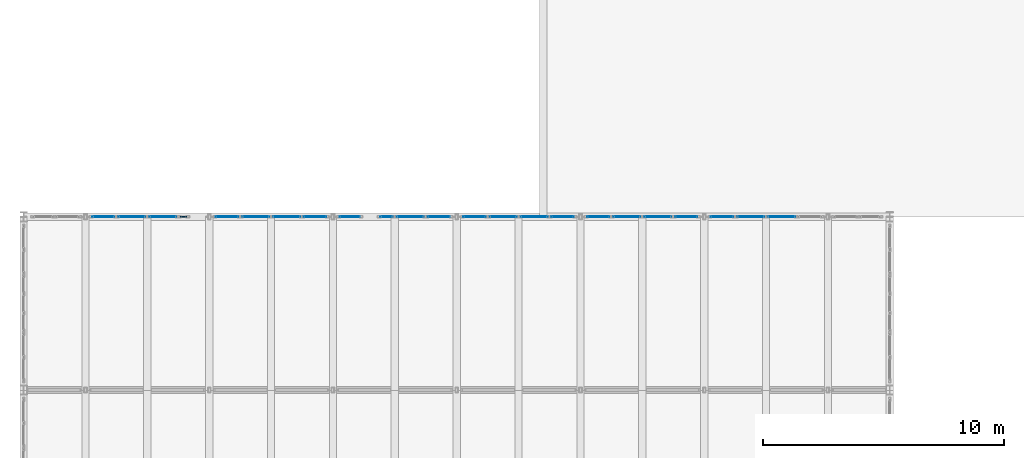
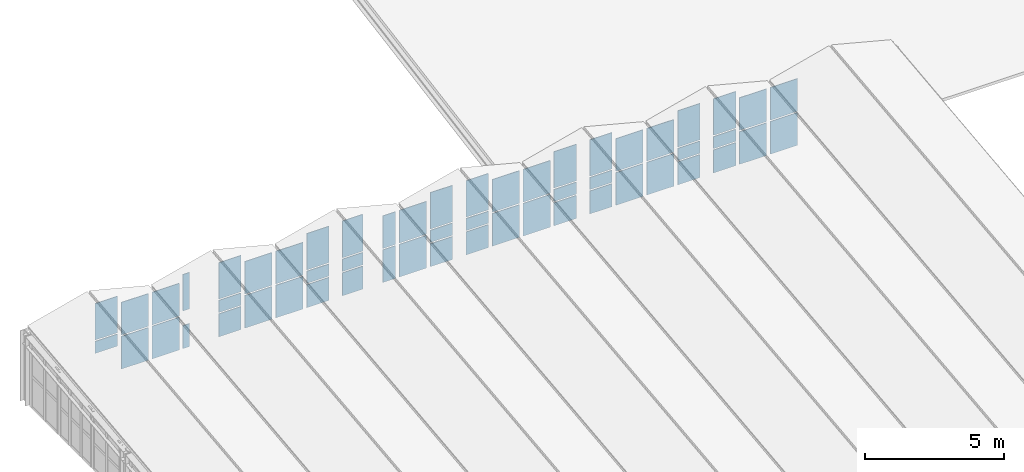
# One storey, part 28 of 39: 55 plates, 23 elements without a shape of their own.
"""IFC4 building model written with IfcOpenShell, lengths in metres."""

from ifc_helpers import new_model, si_unit, direction, frame, origin, origin_2d, place, context, subcontext, project, spatial, rectangle, extrude, material, layer, layer_set, type_object, element, aggregate, save


model = new_model("IFC4")

# Units and contexts
model_context = context("Model", 3, precision=1e-05, world=origin(), true_north=direction((0.0, 1.0)))
body_context = subcontext(model_context, "Body", "Model", "MODEL_VIEW")
ifc_project = project(units=[si_unit("LENGTHUNIT", "METRE"), si_unit("AREAUNIT", "SQUARE_METRE"), si_unit("VOLUMEUNIT", "CUBIC_METRE"), si_unit("PLANEANGLEUNIT", "RADIAN"), si_unit("MASSUNIT", "GRAM", prefix="KILO"), si_unit("THERMODYNAMICTEMPERATUREUNIT", "KELVIN"), si_unit("POWERUNIT", "WATT")], contexts=[model_context])

# Site, building, storey
site_placement = place(None, origin())
site = spatial("IfcSite", under=ifc_project, at=site_placement, CompositionType="ELEMENT")
building_placement = place(site_placement, origin())
building = spatial("IfcBuilding", under=site, at=building_placement, Name="Kaldorven Railside Theatre", CompositionType="ELEMENT")
storey_placement = place(building_placement, frame((0.0, 0.0, 27.300048828125)))
storey = spatial("IfcBuildingStorey", under=building, at=storey_placement, Name="ROOF", CompositionType="ELEMENT", Elevation=27.300048828125)

# Curtain wall, plates
ifc_material = material(Name="Low-E laminated solar-control glass", Category="glass")
ifc_layer_1 = layer(ifc_material, 0.159912109375, Name="Low-E laminated solar-control glass")
ifc_layer_set_1 = layer_set([ifc_layer_1], Name="Low-E laminated solar-control glass")
curtain_wall_type_1 = type_object("IfcCurtainWallType", Name="CWT-48", PredefinedType="USERDEFINED", material=ifc_layer_set_1)
curtain_wall_1_placement = place(storey_placement, origin())
curtain_wall_1 = element("IfcCurtainWall", 1, at=curtain_wall_1_placement, inside=storey, type_object=curtain_wall_type_1, Name="Fly-Tower North Crown Clerestory CWG-065", ObjectType="FLUTED GLAZING", PredefinedType="USERDEFINED")
ifc_layer_2 = layer(ifc_material, 0.028076171875, Name="Low-E laminated solar-control glass")
ifc_layer_set_2 = layer_set([ifc_layer_2], Name="Low-E laminated solar-control glass")
plate_type = type_object("IfcPlateType", Name="CWP-GLZ28", PredefinedType="CURTAIN_PANEL", material=ifc_layer_set_2)
plate_1_placement = place(storey_placement, frame((90.51416015625, 112.800048828125, 1.14990234375), z_axis=(0.0, 0.0, 1.0), x_axis=(1.0, 0.0, 0.0)))
plate_1 = element("IfcPlate", 2, at=plate_1_placement, type_object=plate_type, Name="CWG-065 panel 1.2", PredefinedType="CURTAIN_PANEL", context=body_context, shape_type="SweptSolid", body=[
    extrude(rectangle(XDim=0.92578125, YDim=0.028076171875, at=origin_2d()), origin(), (0.0, 0.0, 1.0), 0.530029296875),
])
plate_2_placement = place(storey_placement, frame((90.51416015625, 112.800048828125, 1.739990234375), z_axis=(0.0, 0.0, 1.0), x_axis=(1.0, 0.0, 0.0)))
plate_2 = element("IfcPlate", 3, at=plate_2_placement, type_object=plate_type, Name="CWG-065 panel 1.3", PredefinedType="CURTAIN_PANEL", context=body_context, shape_type="SweptSolid", body=[
    extrude(rectangle(XDim=0.92578125, YDim=0.028076171875, at=origin_2d()), origin(), (0.0, 0.0, 1.0), 1.60009765625),
])
aggregate(curtain_wall_1, [plate_1, plate_2])

ifc_layer_3 = layer(ifc_material, 0.159912109375, Name="Low-E laminated solar-control glass")
ifc_layer_set_3 = layer_set([ifc_layer_3], Name="Low-E laminated solar-control glass")
curtain_wall_type_2 = type_object("IfcCurtainWallType", Name="CWT-49", PredefinedType="USERDEFINED", material=ifc_layer_set_3)
curtain_wall_2_placement = place(storey_placement, origin())
curtain_wall_2 = element("IfcCurtainWall", 4, at=curtain_wall_2_placement, inside=storey, type_object=curtain_wall_type_2, Name="Fly-Tower North Crown Clerestory CWG-066", ObjectType="FLUTED GLAZING", PredefinedType="USERDEFINED")
plate_3_placement = place(storey_placement, frame((91.699951171875, 112.800048828125, 0.079833984375), z_axis=(0.0, 0.0, 1.0), x_axis=(1.0, 0.0, 0.0)))
plate_3 = element("IfcPlate", 5, at=plate_3_placement, type_object=plate_type, Name="CWG-066 panel 1.1", PredefinedType="CURTAIN_PANEL", context=body_context, shape_type="SweptSolid", body=[
    extrude(rectangle(XDim=1.125732421875, YDim=0.028076171875, at=origin_2d()), origin(), (0.0, 0.0, 1.0), 1.43505859375),
])
plate_4_placement = place(storey_placement, frame((91.699951171875, 112.800048828125, 1.574951171875), z_axis=(0.0, 0.0, 1.0), x_axis=(1.0, 0.0, 0.0)))
plate_4 = element("IfcPlate", 6, at=plate_4_placement, type_object=plate_type, Name="CWG-066 panel 1.2", PredefinedType="CURTAIN_PANEL", context=body_context, shape_type="SweptSolid", body=[
    extrude(rectangle(XDim=1.125732421875, YDim=0.028076171875, at=origin_2d()), origin(), (0.0, 0.0, 1.0), 1.43505859375),
])
aggregate(curtain_wall_2, [plate_3, plate_4])

curtain_wall_3_placement = place(storey_placement, origin())
curtain_wall_3 = element("IfcCurtainWall", 7, at=curtain_wall_3_placement, inside=storey, type_object=curtain_wall_type_2, Name="Fly-Tower North Crown Clerestory CWG-067", ObjectType="FLUTED GLAZING", PredefinedType="USERDEFINED")
plate_5_placement = place(storey_placement, frame((92.98583984375, 112.800048828125, 0.079833984375), z_axis=(0.0, 0.0, 1.0), x_axis=(1.0, 0.0, 0.0)))
plate_5 = element("IfcPlate", 8, at=plate_5_placement, type_object=plate_type, Name="CWG-067 panel 1.1", PredefinedType="CURTAIN_PANEL", context=body_context, shape_type="SweptSolid", body=[
    extrude(rectangle(XDim=1.125732421875, YDim=0.028076171875, at=origin_2d()), origin(), (0.0, 0.0, 1.0), 1.43505859375),
])
plate_6_placement = place(storey_placement, frame((92.98583984375, 112.800048828125, 1.574951171875), z_axis=(0.0, 0.0, 1.0), x_axis=(1.0, 0.0, 0.0)))
plate_6 = element("IfcPlate", 9, at=plate_6_placement, type_object=plate_type, Name="CWG-067 panel 1.2", PredefinedType="CURTAIN_PANEL", context=body_context, shape_type="SweptSolid", body=[
    extrude(rectangle(XDim=1.125732421875, YDim=0.028076171875, at=origin_2d()), origin(), (0.0, 0.0, 1.0), 1.43505859375),
])
aggregate(curtain_wall_3, [plate_5, plate_6])

ifc_layer_4 = layer(ifc_material, 0.159912109375, Name="Low-E laminated solar-control glass")
ifc_layer_set_4 = layer_set([ifc_layer_4], Name="Low-E laminated solar-control glass")
curtain_wall_type_3 = type_object("IfcCurtainWallType", Name="CWT-50", PredefinedType="USERDEFINED", material=ifc_layer_set_4)
curtain_wall_4_placement = place(storey_placement, origin())
curtain_wall_4 = element("IfcCurtainWall", 10, at=curtain_wall_4_placement, inside=storey, type_object=curtain_wall_type_3, Name="Fly-Tower North Crown Clerestory CWG-068", ObjectType="FLUTED GLAZING", PredefinedType="USERDEFINED")
plate_7_placement = place(storey_placement, frame((93.84423828125, 112.800048828125, 0.080078125), z_axis=(0.0, 0.0, 1.0), x_axis=(1.0, 0.0, 0.0)))
plate_7 = element("IfcPlate", 11, at=plate_7_placement, type_object=plate_type, Name="CWG-068 panel 1.1", PredefinedType="CURTAIN_PANEL", context=body_context, shape_type="SweptSolid", body=[
    extrude(rectangle(XDim=0.271484375, YDim=0.028076171875, at=origin_2d()), origin(), (0.0, 0.0, 1.0), 1.010009765625),
])
plate_8_placement = place(storey_placement, frame((93.84423828125, 112.800048828125, 1.739990234375), z_axis=(0.0, 0.0, 1.0), x_axis=(1.0, 0.0, 0.0)))
plate_8 = element("IfcPlate", 12, at=plate_8_placement, type_object=plate_type, Name="CWG-068 panel 1.3", PredefinedType="CURTAIN_PANEL", context=body_context, shape_type="SweptSolid", body=[
    extrude(rectangle(XDim=0.271484375, YDim=0.028076171875, at=origin_2d()), origin(), (0.0, 0.0, 1.0), 1.60009765625),
])
aggregate(curtain_wall_4, [plate_7, plate_8])

curtain_wall_5_placement = place(storey_placement, origin())
curtain_wall_5 = element("IfcCurtainWall", 13, at=curtain_wall_5_placement, inside=storey, type_object=curtain_wall_type_1, Name="Fly-Tower North Crown Clerestory CWG-069", ObjectType="FLUTED GLAZING", PredefinedType="USERDEFINED")
plate_9_placement = place(storey_placement, frame((95.6572265625, 112.800048828125, 0.080078125), z_axis=(0.0, 0.0, 1.0), x_axis=(1.0, 0.0, 0.0)))
plate_9 = element("IfcPlate", 14, at=plate_9_placement, type_object=plate_type, Name="CWG-069 panel 1.1", PredefinedType="CURTAIN_PANEL", context=body_context, shape_type="SweptSolid", body=[
    extrude(rectangle(XDim=0.92578125, YDim=0.028076171875, at=origin_2d()), origin(), (0.0, 0.0, 1.0), 1.010009765625),
])
plate_10_placement = place(storey_placement, frame((95.6572265625, 112.800048828125, 1.14990234375), z_axis=(0.0, 0.0, 1.0), x_axis=(1.0, 0.0, 0.0)))
plate_10 = element("IfcPlate", 15, at=plate_10_placement, type_object=plate_type, Name="CWG-069 panel 1.2", PredefinedType="CURTAIN_PANEL", context=body_context, shape_type="SweptSolid", body=[
    extrude(rectangle(XDim=0.92578125, YDim=0.028076171875, at=origin_2d()), origin(), (0.0, 0.0, 1.0), 0.530029296875),
])
plate_11_placement = place(storey_placement, frame((95.6572265625, 112.800048828125, 1.739990234375), z_axis=(0.0, 0.0, 1.0), x_axis=(1.0, 0.0, 0.0)))
plate_11 = element("IfcPlate", 16, at=plate_11_placement, type_object=plate_type, Name="CWG-069 panel 1.3", PredefinedType="CURTAIN_PANEL", context=body_context, shape_type="SweptSolid", body=[
    extrude(rectangle(XDim=0.92578125, YDim=0.028076171875, at=origin_2d()), origin(), (0.0, 0.0, 1.0), 1.60009765625),
])
aggregate(curtain_wall_5, [plate_9, plate_10, plate_11])

curtain_wall_6_placement = place(storey_placement, origin())
curtain_wall_6 = element("IfcCurtainWall", 17, at=curtain_wall_6_placement, inside=storey, type_object=curtain_wall_type_2, Name="Fly-Tower North Crown Clerestory CWG-070", ObjectType="FLUTED GLAZING", PredefinedType="USERDEFINED")
plate_12_placement = place(storey_placement, frame((96.8427734375, 112.800048828125, 0.079833984375), z_axis=(0.0, 0.0, 1.0), x_axis=(1.0, 0.0, 0.0)))
plate_12 = element("IfcPlate", 18, at=plate_12_placement, type_object=plate_type, Name="CWG-070 panel 1.1", PredefinedType="CURTAIN_PANEL", context=body_context, shape_type="SweptSolid", body=[
    extrude(rectangle(XDim=1.125732421875, YDim=0.028076171875, at=origin_2d()), origin(), (0.0, 0.0, 1.0), 1.43505859375),
])
plate_13_placement = place(storey_placement, frame((96.8427734375, 112.800048828125, 1.574951171875), z_axis=(0.0, 0.0, 1.0), x_axis=(1.0, 0.0, 0.0)))
plate_13 = element("IfcPlate", 19, at=plate_13_placement, type_object=plate_type, Name="CWG-070 panel 1.2", PredefinedType="CURTAIN_PANEL", context=body_context, shape_type="SweptSolid", body=[
    extrude(rectangle(XDim=1.125732421875, YDim=0.028076171875, at=origin_2d()), origin(), (0.0, 0.0, 1.0), 1.43505859375),
])
aggregate(curtain_wall_6, [plate_12, plate_13])

curtain_wall_7_placement = place(storey_placement, origin())
curtain_wall_7 = element("IfcCurtainWall", 20, at=curtain_wall_7_placement, inside=storey, type_object=curtain_wall_type_2, Name="Fly-Tower North Crown Clerestory CWG-071", ObjectType="FLUTED GLAZING", PredefinedType="USERDEFINED")
plate_14_placement = place(storey_placement, frame((98.128662109375, 112.800048828125, 0.079833984375), z_axis=(0.0, 0.0, 1.0), x_axis=(1.0, 0.0, 0.0)))
plate_14 = element("IfcPlate", 21, at=plate_14_placement, type_object=plate_type, Name="CWG-071 panel 1.1", PredefinedType="CURTAIN_PANEL", context=body_context, shape_type="SweptSolid", body=[
    extrude(rectangle(XDim=1.125732421875, YDim=0.028076171875, at=origin_2d()), origin(), (0.0, 0.0, 1.0), 1.43505859375),
])
plate_15_placement = place(storey_placement, frame((98.128662109375, 112.800048828125, 1.574951171875), z_axis=(0.0, 0.0, 1.0), x_axis=(1.0, 0.0, 0.0)))
plate_15 = element("IfcPlate", 22, at=plate_15_placement, type_object=plate_type, Name="CWG-071 panel 1.2", PredefinedType="CURTAIN_PANEL", context=body_context, shape_type="SweptSolid", body=[
    extrude(rectangle(XDim=1.125732421875, YDim=0.028076171875, at=origin_2d()), origin(), (0.0, 0.0, 1.0), 1.43505859375),
])
aggregate(curtain_wall_7, [plate_14, plate_15])

curtain_wall_8_placement = place(storey_placement, origin())
curtain_wall_8 = element("IfcCurtainWall", 23, at=curtain_wall_8_placement, inside=storey, type_object=curtain_wall_type_1, Name="Fly-Tower North Crown Clerestory CWG-072", ObjectType="FLUTED GLAZING", PredefinedType="USERDEFINED")
plate_16_placement = place(storey_placement, frame((99.314208984375, 112.800048828125, 0.080078125), z_axis=(0.0, 0.0, 1.0), x_axis=(1.0, 0.0, 0.0)))
plate_16 = element("IfcPlate", 24, at=plate_16_placement, type_object=plate_type, Name="CWG-072 panel 1.1", PredefinedType="CURTAIN_PANEL", context=body_context, shape_type="SweptSolid", body=[
    extrude(rectangle(XDim=0.92578125, YDim=0.028076171875, at=origin_2d()), origin(), (0.0, 0.0, 1.0), 1.010009765625),
])
plate_17_placement = place(storey_placement, frame((99.314208984375, 112.800048828125, 1.14990234375), z_axis=(0.0, 0.0, 1.0), x_axis=(1.0, 0.0, 0.0)))
plate_17 = element("IfcPlate", 25, at=plate_17_placement, type_object=plate_type, Name="CWG-072 panel 1.2", PredefinedType="CURTAIN_PANEL", context=body_context, shape_type="SweptSolid", body=[
    extrude(rectangle(XDim=0.92578125, YDim=0.028076171875, at=origin_2d()), origin(), (0.0, 0.0, 1.0), 0.530029296875),
])
plate_18_placement = place(storey_placement, frame((99.314208984375, 112.800048828125, 1.739990234375), z_axis=(0.0, 0.0, 1.0), x_axis=(1.0, 0.0, 0.0)))
plate_18 = element("IfcPlate", 26, at=plate_18_placement, type_object=plate_type, Name="CWG-072 panel 1.3", PredefinedType="CURTAIN_PANEL", context=body_context, shape_type="SweptSolid", body=[
    extrude(rectangle(XDim=0.92578125, YDim=0.028076171875, at=origin_2d()), origin(), (0.0, 0.0, 1.0), 1.60009765625),
])
aggregate(curtain_wall_8, [plate_16, plate_17, plate_18])

ifc_layer_5 = layer(ifc_material, 0.159912109375, Name="Low-E laminated solar-control glass")
ifc_layer_set_5 = layer_set([ifc_layer_5], Name="Low-E laminated solar-control glass")
curtain_wall_type_4 = type_object("IfcCurtainWallType", Name="CWT-51", PredefinedType="USERDEFINED", material=ifc_layer_set_5)
curtain_wall_9_placement = place(storey_placement, origin())
curtain_wall_9 = element("IfcCurtainWall", 27, at=curtain_wall_9_placement, inside=storey, type_object=curtain_wall_type_4, Name="Fly-Tower North Crown Clerestory CWG-073", ObjectType="FLUTED GLAZING", PredefinedType="USERDEFINED")
plate_19_placement = place(storey_placement, frame((100.758544921875, 112.800048828125, 0.080078125), z_axis=(0.0, 0.0, 1.0), x_axis=(1.0, 0.0, 0.0)))
plate_19 = element("IfcPlate", 28, at=plate_19_placement, type_object=plate_type, Name="CWG-073 panel 1.1", PredefinedType="CURTAIN_PANEL", context=body_context, shape_type="SweptSolid", body=[
    extrude(rectangle(XDim=0.843017578125, YDim=0.028076171875, at=origin_2d()), origin(), (0.0, 0.0, 1.0), 1.010009765625),
])
plate_20_placement = place(storey_placement, frame((100.758544921875, 112.800048828125, 1.14990234375), z_axis=(0.0, 0.0, 1.0), x_axis=(1.0, 0.0, 0.0)))
plate_20 = element("IfcPlate", 29, at=plate_20_placement, type_object=plate_type, Name="CWG-073 panel 1.2", PredefinedType="CURTAIN_PANEL", context=body_context, shape_type="SweptSolid", body=[
    extrude(rectangle(XDim=0.843017578125, YDim=0.028076171875, at=origin_2d()), origin(), (0.0, 0.0, 1.0), 0.544921875),
])
plate_21_placement = place(storey_placement, frame((100.758544921875, 112.800048828125, 1.7548828125), z_axis=(0.0, 0.0, 1.0), x_axis=(1.0, 0.0, 0.0)))
plate_21 = element("IfcPlate", 30, at=plate_21_placement, type_object=plate_type, Name="CWG-073 panel 1.3", PredefinedType="CURTAIN_PANEL", context=body_context, shape_type="SweptSolid", body=[
    extrude(rectangle(XDim=0.843017578125, YDim=0.028076171875, at=origin_2d()), origin(), (0.0, 0.0, 1.0), 1.614990234375),
])
aggregate(curtain_wall_9, [plate_19, plate_20, plate_21])

ifc_layer_6 = layer(ifc_material, 0.159912109375, Name="Low-E laminated solar-control glass")
ifc_layer_set_6 = layer_set([ifc_layer_6], Name="Low-E laminated solar-control glass")
curtain_wall_type_5 = type_object("IfcCurtainWallType", Name="CWT-52", PredefinedType="USERDEFINED", material=ifc_layer_set_6)
curtain_wall_10_placement = place(storey_placement, origin())
curtain_wall_10 = element("IfcCurtainWall", 31, at=curtain_wall_10_placement, inside=storey, type_object=curtain_wall_type_5, Name="Fly-Tower North Crown Clerestory CWG-074", ObjectType="FLUTED GLAZING", PredefinedType="USERDEFINED")
plate_22_placement = place(storey_placement, frame((102.2841796875, 112.800048828125, 0.079833984375), z_axis=(0.0, 0.0, 1.0), x_axis=(1.0, 0.0, 0.0)))
plate_22 = element("IfcPlate", 32, at=plate_22_placement, type_object=plate_type, Name="CWG-074 panel 1.1", PredefinedType="CURTAIN_PANEL", context=body_context, shape_type="SweptSolid", body=[
    extrude(rectangle(XDim=0.528564453125, YDim=0.028076171875, at=origin_2d()), origin(), (0.0, 0.0, 1.0), 1.43505859375),
])
plate_23_placement = place(storey_placement, frame((102.2841796875, 112.800048828125, 1.574951171875), z_axis=(0.0, 0.0, 1.0), x_axis=(1.0, 0.0, 0.0)))
plate_23 = element("IfcPlate", 33, at=plate_23_placement, type_object=plate_type, Name="CWG-074 panel 1.2", PredefinedType="CURTAIN_PANEL", context=body_context, shape_type="SweptSolid", body=[
    extrude(rectangle(XDim=0.528564453125, YDim=0.028076171875, at=origin_2d()), origin(), (0.0, 0.0, 1.0), 1.43505859375),
])
aggregate(curtain_wall_10, [plate_22, plate_23])

curtain_wall_11_placement = place(storey_placement, origin())
curtain_wall_11 = element("IfcCurtainWall", 34, at=curtain_wall_11_placement, inside=storey, type_object=curtain_wall_type_2, Name="Fly-Tower North Crown Clerestory CWG-075", ObjectType="FLUTED GLAZING", PredefinedType="USERDEFINED")
plate_24_placement = place(storey_placement, frame((103.271484375, 112.800048828125, 0.079833984375), z_axis=(0.0, 0.0, 1.0), x_axis=(1.0, 0.0, 0.0)))
plate_24 = element("IfcPlate", 35, at=plate_24_placement, type_object=plate_type, Name="CWG-075 panel 1.1", PredefinedType="CURTAIN_PANEL", context=body_context, shape_type="SweptSolid", body=[
    extrude(rectangle(XDim=1.125732421875, YDim=0.028076171875, at=origin_2d()), origin(), (0.0, 0.0, 1.0), 1.43505859375),
])
plate_25_placement = place(storey_placement, frame((103.271484375, 112.800048828125, 1.574951171875), z_axis=(0.0, 0.0, 1.0), x_axis=(1.0, 0.0, 0.0)))
plate_25 = element("IfcPlate", 36, at=plate_25_placement, type_object=plate_type, Name="CWG-075 panel 1.2", PredefinedType="CURTAIN_PANEL", context=body_context, shape_type="SweptSolid", body=[
    extrude(rectangle(XDim=1.125732421875, YDim=0.028076171875, at=origin_2d()), origin(), (0.0, 0.0, 1.0), 1.43505859375),
])
aggregate(curtain_wall_11, [plate_24, plate_25])

curtain_wall_12_placement = place(storey_placement, origin())
curtain_wall_12 = element("IfcCurtainWall", 37, at=curtain_wall_12_placement, inside=storey, type_object=curtain_wall_type_1, Name="Fly-Tower North Crown Clerestory CWG-076", ObjectType="FLUTED GLAZING", PredefinedType="USERDEFINED")
plate_26_placement = place(storey_placement, frame((104.45703125, 112.800048828125, 0.080078125), z_axis=(0.0, 0.0, 1.0), x_axis=(1.0, 0.0, 0.0)))
plate_26 = element("IfcPlate", 38, at=plate_26_placement, type_object=plate_type, Name="CWG-076 panel 1.1", PredefinedType="CURTAIN_PANEL", context=body_context, shape_type="SweptSolid", body=[
    extrude(rectangle(XDim=0.92578125, YDim=0.028076171875, at=origin_2d()), origin(), (0.0, 0.0, 1.0), 1.010009765625),
])
plate_27_placement = place(storey_placement, frame((104.45703125, 112.800048828125, 1.14990234375), z_axis=(0.0, 0.0, 1.0), x_axis=(1.0, 0.0, 0.0)))
plate_27 = element("IfcPlate", 39, at=plate_27_placement, type_object=plate_type, Name="CWG-076 panel 1.2", PredefinedType="CURTAIN_PANEL", context=body_context, shape_type="SweptSolid", body=[
    extrude(rectangle(XDim=0.92578125, YDim=0.028076171875, at=origin_2d()), origin(), (0.0, 0.0, 1.0), 0.530029296875),
])
plate_28_placement = place(storey_placement, frame((104.45703125, 112.800048828125, 1.739990234375), z_axis=(0.0, 0.0, 1.0), x_axis=(1.0, 0.0, 0.0)))
plate_28 = element("IfcPlate", 40, at=plate_28_placement, type_object=plate_type, Name="CWG-076 panel 1.3", PredefinedType="CURTAIN_PANEL", context=body_context, shape_type="SweptSolid", body=[
    extrude(rectangle(XDim=0.92578125, YDim=0.028076171875, at=origin_2d()), origin(), (0.0, 0.0, 1.0), 1.60009765625),
])
aggregate(curtain_wall_12, [plate_26, plate_27, plate_28])

curtain_wall_13_placement = place(storey_placement, origin())
curtain_wall_13 = element("IfcCurtainWall", 41, at=curtain_wall_13_placement, inside=storey, type_object=curtain_wall_type_1, Name="Fly-Tower North Crown Clerestory CWG-077", ObjectType="FLUTED GLAZING", PredefinedType="USERDEFINED")
plate_29_placement = place(storey_placement, frame((105.94287109375, 112.800048828125, 0.080078125), z_axis=(0.0, 0.0, 1.0), x_axis=(1.0, 0.0, 0.0)))
plate_29 = element("IfcPlate", 42, at=plate_29_placement, type_object=plate_type, Name="CWG-077 panel 1.1", PredefinedType="CURTAIN_PANEL", context=body_context, shape_type="SweptSolid", body=[
    extrude(rectangle(XDim=0.92578125, YDim=0.028076171875, at=origin_2d()), origin(), (0.0, 0.0, 1.0), 1.010009765625),
])
plate_30_placement = place(storey_placement, frame((105.94287109375, 112.800048828125, 1.14990234375), z_axis=(0.0, 0.0, 1.0), x_axis=(1.0, 0.0, 0.0)))
plate_30 = element("IfcPlate", 43, at=plate_30_placement, type_object=plate_type, Name="CWG-077 panel 1.2", PredefinedType="CURTAIN_PANEL", context=body_context, shape_type="SweptSolid", body=[
    extrude(rectangle(XDim=0.92578125, YDim=0.028076171875, at=origin_2d()), origin(), (0.0, 0.0, 1.0), 0.530029296875),
])
plate_31_placement = place(storey_placement, frame((105.94287109375, 112.800048828125, 1.739990234375), z_axis=(0.0, 0.0, 1.0), x_axis=(1.0, 0.0, 0.0)))
plate_31 = element("IfcPlate", 44, at=plate_31_placement, type_object=plate_type, Name="CWG-077 panel 1.3", PredefinedType="CURTAIN_PANEL", context=body_context, shape_type="SweptSolid", body=[
    extrude(rectangle(XDim=0.92578125, YDim=0.028076171875, at=origin_2d()), origin(), (0.0, 0.0, 1.0), 1.60009765625),
])
aggregate(curtain_wall_13, [plate_29, plate_30, plate_31])

curtain_wall_14_placement = place(storey_placement, origin())
curtain_wall_14 = element("IfcCurtainWall", 45, at=curtain_wall_14_placement, inside=storey, type_object=curtain_wall_type_2, Name="Fly-Tower North Crown Clerestory CWG-078", ObjectType="FLUTED GLAZING", PredefinedType="USERDEFINED")
plate_32_placement = place(storey_placement, frame((107.128662109375, 112.800048828125, 0.079833984375), z_axis=(0.0, 0.0, 1.0), x_axis=(1.0, 0.0, 0.0)))
plate_32 = element("IfcPlate", 46, at=plate_32_placement, type_object=plate_type, Name="CWG-078 panel 1.1", PredefinedType="CURTAIN_PANEL", context=body_context, shape_type="SweptSolid", body=[
    extrude(rectangle(XDim=1.125732421875, YDim=0.028076171875, at=origin_2d()), origin(), (0.0, 0.0, 1.0), 1.43505859375),
])
plate_33_placement = place(storey_placement, frame((107.128662109375, 112.800048828125, 1.574951171875), z_axis=(0.0, 0.0, 1.0), x_axis=(1.0, 0.0, 0.0)))
plate_33 = element("IfcPlate", 47, at=plate_33_placement, type_object=plate_type, Name="CWG-078 panel 1.2", PredefinedType="CURTAIN_PANEL", context=body_context, shape_type="SweptSolid", body=[
    extrude(rectangle(XDim=1.125732421875, YDim=0.028076171875, at=origin_2d()), origin(), (0.0, 0.0, 1.0), 1.43505859375),
])
aggregate(curtain_wall_14, [plate_32, plate_33])

curtain_wall_15_placement = place(storey_placement, origin())
curtain_wall_15 = element("IfcCurtainWall", 48, at=curtain_wall_15_placement, inside=storey, type_object=curtain_wall_type_2, Name="Fly-Tower North Crown Clerestory CWG-079", ObjectType="FLUTED GLAZING", PredefinedType="USERDEFINED")
plate_34_placement = place(storey_placement, frame((108.414306640625, 112.800048828125, 0.079833984375), z_axis=(0.0, 0.0, 1.0), x_axis=(1.0, 0.0, 0.0)))
plate_34 = element("IfcPlate", 49, at=plate_34_placement, type_object=plate_type, Name="CWG-079 panel 1.1", PredefinedType="CURTAIN_PANEL", context=body_context, shape_type="SweptSolid", body=[
    extrude(rectangle(XDim=1.125732421875, YDim=0.028076171875, at=origin_2d()), origin(), (0.0, 0.0, 1.0), 1.43505859375),
])
plate_35_placement = place(storey_placement, frame((108.414306640625, 112.800048828125, 1.574951171875), z_axis=(0.0, 0.0, 1.0), x_axis=(1.0, 0.0, 0.0)))
plate_35 = element("IfcPlate", 50, at=plate_35_placement, type_object=plate_type, Name="CWG-079 panel 1.2", PredefinedType="CURTAIN_PANEL", context=body_context, shape_type="SweptSolid", body=[
    extrude(rectangle(XDim=1.125732421875, YDim=0.028076171875, at=origin_2d()), origin(), (0.0, 0.0, 1.0), 1.43505859375),
])
aggregate(curtain_wall_15, [plate_34, plate_35])

curtain_wall_16_placement = place(storey_placement, origin())
curtain_wall_16 = element("IfcCurtainWall", 51, at=curtain_wall_16_placement, inside=storey, type_object=curtain_wall_type_1, Name="Fly-Tower North Crown Clerestory CWG-080", ObjectType="FLUTED GLAZING", PredefinedType="USERDEFINED")
plate_36_placement = place(storey_placement, frame((109.599853515625, 112.800048828125, 0.080078125), z_axis=(0.0, 0.0, 1.0), x_axis=(1.0, 0.0, 0.0)))
plate_36 = element("IfcPlate", 52, at=plate_36_placement, type_object=plate_type, Name="CWG-080 panel 1.1", PredefinedType="CURTAIN_PANEL", context=body_context, shape_type="SweptSolid", body=[
    extrude(rectangle(XDim=0.92578125, YDim=0.028076171875, at=origin_2d()), origin(), (0.0, 0.0, 1.0), 1.010009765625),
])
plate_37_placement = place(storey_placement, frame((109.599853515625, 112.800048828125, 1.14990234375), z_axis=(0.0, 0.0, 1.0), x_axis=(1.0, 0.0, 0.0)))
plate_37 = element("IfcPlate", 53, at=plate_37_placement, type_object=plate_type, Name="CWG-080 panel 1.2", PredefinedType="CURTAIN_PANEL", context=body_context, shape_type="SweptSolid", body=[
    extrude(rectangle(XDim=0.92578125, YDim=0.028076171875, at=origin_2d()), origin(), (0.0, 0.0, 1.0), 0.530029296875),
])
plate_38_placement = place(storey_placement, frame((109.599853515625, 112.800048828125, 1.739990234375), z_axis=(0.0, 0.0, 1.0), x_axis=(1.0, 0.0, 0.0)))
plate_38 = element("IfcPlate", 54, at=plate_38_placement, type_object=plate_type, Name="CWG-080 panel 1.3", PredefinedType="CURTAIN_PANEL", context=body_context, shape_type="SweptSolid", body=[
    extrude(rectangle(XDim=0.92578125, YDim=0.028076171875, at=origin_2d()), origin(), (0.0, 0.0, 1.0), 1.60009765625),
])
aggregate(curtain_wall_16, [plate_36, plate_37, plate_38])

curtain_wall_17_placement = place(storey_placement, origin())
curtain_wall_17 = element("IfcCurtainWall", 55, at=curtain_wall_17_placement, inside=storey, type_object=curtain_wall_type_1, Name="Fly-Tower North Crown Clerestory CWG-081", ObjectType="FLUTED GLAZING", PredefinedType="USERDEFINED")
plate_39_placement = place(storey_placement, frame((111.085693359375, 112.800048828125, 0.080078125), z_axis=(0.0, 0.0, 1.0), x_axis=(1.0, 0.0, 0.0)))
plate_39 = element("IfcPlate", 56, at=plate_39_placement, type_object=plate_type, Name="CWG-081 panel 1.1", PredefinedType="CURTAIN_PANEL", context=body_context, shape_type="SweptSolid", body=[
    extrude(rectangle(XDim=0.92578125, YDim=0.028076171875, at=origin_2d()), origin(), (0.0, 0.0, 1.0), 1.010009765625),
])
plate_40_placement = place(storey_placement, frame((111.085693359375, 112.800048828125, 1.14990234375), z_axis=(0.0, 0.0, 1.0), x_axis=(1.0, 0.0, 0.0)))
plate_40 = element("IfcPlate", 57, at=plate_40_placement, type_object=plate_type, Name="CWG-081 panel 1.2", PredefinedType="CURTAIN_PANEL", context=body_context, shape_type="SweptSolid", body=[
    extrude(rectangle(XDim=0.92578125, YDim=0.028076171875, at=origin_2d()), origin(), (0.0, 0.0, 1.0), 0.530029296875),
])
plate_41_placement = place(storey_placement, frame((111.085693359375, 112.800048828125, 1.739990234375), z_axis=(0.0, 0.0, 1.0), x_axis=(1.0, 0.0, 0.0)))
plate_41 = element("IfcPlate", 58, at=plate_41_placement, type_object=plate_type, Name="CWG-081 panel 1.3", PredefinedType="CURTAIN_PANEL", context=body_context, shape_type="SweptSolid", body=[
    extrude(rectangle(XDim=0.92578125, YDim=0.028076171875, at=origin_2d()), origin(), (0.0, 0.0, 1.0), 1.60009765625),
])
aggregate(curtain_wall_17, [plate_39, plate_40, plate_41])

curtain_wall_18_placement = place(storey_placement, origin())
curtain_wall_18 = element("IfcCurtainWall", 59, at=curtain_wall_18_placement, inside=storey, type_object=curtain_wall_type_2, Name="Fly-Tower North Crown Clerestory CWG-082", ObjectType="FLUTED GLAZING", PredefinedType="USERDEFINED")
plate_42_placement = place(storey_placement, frame((112.271484375, 112.800048828125, 0.079833984375), z_axis=(0.0, 0.0, 1.0), x_axis=(1.0, 0.0, 0.0)))
plate_42 = element("IfcPlate", 60, at=plate_42_placement, type_object=plate_type, Name="CWG-082 panel 1.1", PredefinedType="CURTAIN_PANEL", context=body_context, shape_type="SweptSolid", body=[
    extrude(rectangle(XDim=1.125732421875, YDim=0.028076171875, at=origin_2d()), origin(), (0.0, 0.0, 1.0), 1.43505859375),
])
plate_43_placement = place(storey_placement, frame((112.271484375, 112.800048828125, 1.574951171875), z_axis=(0.0, 0.0, 1.0), x_axis=(1.0, 0.0, 0.0)))
plate_43 = element("IfcPlate", 61, at=plate_43_placement, type_object=plate_type, Name="CWG-082 panel 1.2", PredefinedType="CURTAIN_PANEL", context=body_context, shape_type="SweptSolid", body=[
    extrude(rectangle(XDim=1.125732421875, YDim=0.028076171875, at=origin_2d()), origin(), (0.0, 0.0, 1.0), 1.43505859375),
])
aggregate(curtain_wall_18, [plate_42, plate_43])

curtain_wall_19_placement = place(storey_placement, origin())
curtain_wall_19 = element("IfcCurtainWall", 62, at=curtain_wall_19_placement, inside=storey, type_object=curtain_wall_type_2, Name="Fly-Tower North Crown Clerestory CWG-083", ObjectType="FLUTED GLAZING", PredefinedType="USERDEFINED")
plate_44_placement = place(storey_placement, frame((113.55712890625, 112.800048828125, 0.079833984375), z_axis=(0.0, 0.0, 1.0), x_axis=(1.0, 0.0, 0.0)))
plate_44 = element("IfcPlate", 63, at=plate_44_placement, type_object=plate_type, Name="CWG-083 panel 1.1", PredefinedType="CURTAIN_PANEL", context=body_context, shape_type="SweptSolid", body=[
    extrude(rectangle(XDim=1.125732421875, YDim=0.028076171875, at=origin_2d()), origin(), (0.0, 0.0, 1.0), 1.43505859375),
])
plate_45_placement = place(storey_placement, frame((113.55712890625, 112.800048828125, 1.574951171875), z_axis=(0.0, 0.0, 1.0), x_axis=(1.0, 0.0, 0.0)))
plate_45 = element("IfcPlate", 64, at=plate_45_placement, type_object=plate_type, Name="CWG-083 panel 1.2", PredefinedType="CURTAIN_PANEL", context=body_context, shape_type="SweptSolid", body=[
    extrude(rectangle(XDim=1.125732421875, YDim=0.028076171875, at=origin_2d()), origin(), (0.0, 0.0, 1.0), 1.43505859375),
])
aggregate(curtain_wall_19, [plate_44, plate_45])

curtain_wall_20_placement = place(storey_placement, origin())
curtain_wall_20 = element("IfcCurtainWall", 65, at=curtain_wall_20_placement, inside=storey, type_object=curtain_wall_type_1, Name="Fly-Tower North Crown Clerestory CWG-084", ObjectType="FLUTED GLAZING", PredefinedType="USERDEFINED")
plate_46_placement = place(storey_placement, frame((114.742919921875, 112.800048828125, 0.080078125), z_axis=(0.0, 0.0, 1.0), x_axis=(1.0, 0.0, 0.0)))
plate_46 = element("IfcPlate", 66, at=plate_46_placement, type_object=plate_type, Name="CWG-084 panel 1.1", PredefinedType="CURTAIN_PANEL", context=body_context, shape_type="SweptSolid", body=[
    extrude(rectangle(XDim=0.92578125, YDim=0.028076171875, at=origin_2d()), origin(), (0.0, 0.0, 1.0), 1.010009765625),
])
plate_47_placement = place(storey_placement, frame((114.742919921875, 112.800048828125, 1.14990234375), z_axis=(0.0, 0.0, 1.0), x_axis=(1.0, 0.0, 0.0)))
plate_47 = element("IfcPlate", 67, at=plate_47_placement, type_object=plate_type, Name="CWG-084 panel 1.2", PredefinedType="CURTAIN_PANEL", context=body_context, shape_type="SweptSolid", body=[
    extrude(rectangle(XDim=0.92578125, YDim=0.028076171875, at=origin_2d()), origin(), (0.0, 0.0, 1.0), 0.530029296875),
])
plate_48_placement = place(storey_placement, frame((114.742919921875, 112.800048828125, 1.739990234375), z_axis=(0.0, 0.0, 1.0), x_axis=(1.0, 0.0, 0.0)))
plate_48 = element("IfcPlate", 68, at=plate_48_placement, type_object=plate_type, Name="CWG-084 panel 1.3", PredefinedType="CURTAIN_PANEL", context=body_context, shape_type="SweptSolid", body=[
    extrude(rectangle(XDim=0.92578125, YDim=0.028076171875, at=origin_2d()), origin(), (0.0, 0.0, 1.0), 1.60009765625),
])
aggregate(curtain_wall_20, [plate_46, plate_47, plate_48])

curtain_wall_21_placement = place(storey_placement, origin())
curtain_wall_21 = element("IfcCurtainWall", 69, at=curtain_wall_21_placement, inside=storey, type_object=curtain_wall_type_1, Name="Fly-Tower North Crown Clerestory CWG-085", ObjectType="FLUTED GLAZING", PredefinedType="USERDEFINED")
plate_49_placement = place(storey_placement, frame((116.228515625, 112.800048828125, 0.080078125), z_axis=(0.0, 0.0, 1.0), x_axis=(1.0, 0.0, 0.0)))
plate_49 = element("IfcPlate", 70, at=plate_49_placement, type_object=plate_type, Name="CWG-085 panel 1.1", PredefinedType="CURTAIN_PANEL", context=body_context, shape_type="SweptSolid", body=[
    extrude(rectangle(XDim=0.92578125, YDim=0.028076171875, at=origin_2d()), origin(), (0.0, 0.0, 1.0), 1.010009765625),
])
plate_50_placement = place(storey_placement, frame((116.228515625, 112.800048828125, 1.14990234375), z_axis=(0.0, 0.0, 1.0), x_axis=(1.0, 0.0, 0.0)))
plate_50 = element("IfcPlate", 71, at=plate_50_placement, type_object=plate_type, Name="CWG-085 panel 1.2", PredefinedType="CURTAIN_PANEL", context=body_context, shape_type="SweptSolid", body=[
    extrude(rectangle(XDim=0.92578125, YDim=0.028076171875, at=origin_2d()), origin(), (0.0, 0.0, 1.0), 0.530029296875),
])
plate_51_placement = place(storey_placement, frame((116.228515625, 112.800048828125, 1.739990234375), z_axis=(0.0, 0.0, 1.0), x_axis=(1.0, 0.0, 0.0)))
plate_51 = element("IfcPlate", 72, at=plate_51_placement, type_object=plate_type, Name="CWG-085 panel 1.3", PredefinedType="CURTAIN_PANEL", context=body_context, shape_type="SweptSolid", body=[
    extrude(rectangle(XDim=0.92578125, YDim=0.028076171875, at=origin_2d()), origin(), (0.0, 0.0, 1.0), 1.60009765625),
])
aggregate(curtain_wall_21, [plate_49, plate_50, plate_51])

curtain_wall_22_placement = place(storey_placement, origin())
curtain_wall_22 = element("IfcCurtainWall", 73, at=curtain_wall_22_placement, inside=storey, type_object=curtain_wall_type_2, Name="Fly-Tower North Crown Clerestory CWG-086", ObjectType="FLUTED GLAZING", PredefinedType="USERDEFINED")
plate_52_placement = place(storey_placement, frame((117.414306640625, 112.800048828125, 0.079833984375), z_axis=(0.0, 0.0, 1.0), x_axis=(1.0, 0.0, 0.0)))
plate_52 = element("IfcPlate", 74, at=plate_52_placement, type_object=plate_type, Name="CWG-086 panel 1.1", PredefinedType="CURTAIN_PANEL", context=body_context, shape_type="SweptSolid", body=[
    extrude(rectangle(XDim=1.125732421875, YDim=0.028076171875, at=origin_2d()), origin(), (0.0, 0.0, 1.0), 1.43505859375),
])
plate_53_placement = place(storey_placement, frame((117.414306640625, 112.800048828125, 1.574951171875), z_axis=(0.0, 0.0, 1.0), x_axis=(1.0, 0.0, 0.0)))
plate_53 = element("IfcPlate", 75, at=plate_53_placement, type_object=plate_type, Name="CWG-086 panel 1.2", PredefinedType="CURTAIN_PANEL", context=body_context, shape_type="SweptSolid", body=[
    extrude(rectangle(XDim=1.125732421875, YDim=0.028076171875, at=origin_2d()), origin(), (0.0, 0.0, 1.0), 1.43505859375),
])
aggregate(curtain_wall_22, [plate_52, plate_53])

curtain_wall_23_placement = place(storey_placement, origin())
curtain_wall_23 = element("IfcCurtainWall", 76, at=curtain_wall_23_placement, inside=storey, type_object=curtain_wall_type_2, Name="Fly-Tower North Crown Clerestory CWG-087", ObjectType="FLUTED GLAZING", PredefinedType="USERDEFINED")
plate_54_placement = place(storey_placement, frame((118.699951171875, 112.800048828125, 0.079833984375), z_axis=(0.0, 0.0, 1.0), x_axis=(1.0, 0.0, 0.0)))
plate_54 = element("IfcPlate", 77, at=plate_54_placement, type_object=plate_type, Name="CWG-087 panel 1.1", PredefinedType="CURTAIN_PANEL", context=body_context, shape_type="SweptSolid", body=[
    extrude(rectangle(XDim=1.125732421875, YDim=0.028076171875, at=origin_2d()), origin(), (0.0, 0.0, 1.0), 1.43505859375),
])
plate_55_placement = place(storey_placement, frame((118.699951171875, 112.800048828125, 1.574951171875), z_axis=(0.0, 0.0, 1.0), x_axis=(1.0, 0.0, 0.0)))
plate_55 = element("IfcPlate", 78, at=plate_55_placement, type_object=plate_type, Name="CWG-087 panel 1.2", PredefinedType="CURTAIN_PANEL", context=body_context, shape_type="SweptSolid", body=[
    extrude(rectangle(XDim=1.125732421875, YDim=0.028076171875, at=origin_2d()), origin(), (0.0, 0.0, 1.0), 1.43505859375),
])
aggregate(curtain_wall_23, [plate_54, plate_55])

save(model, "model.ifc")
